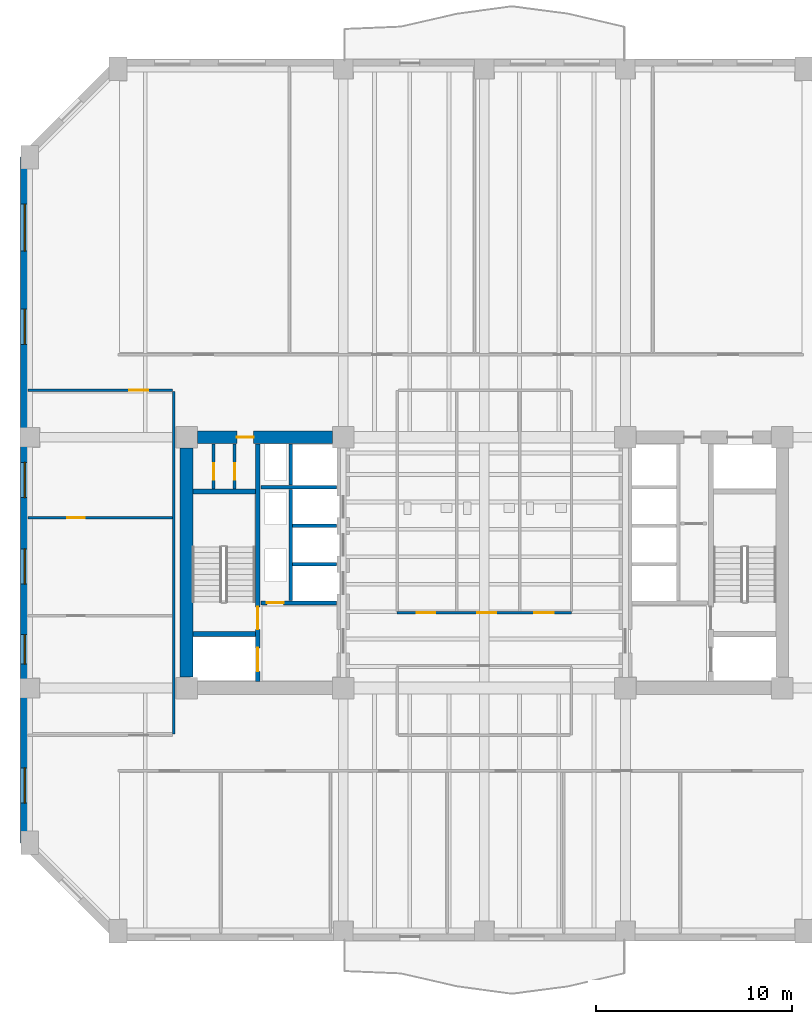
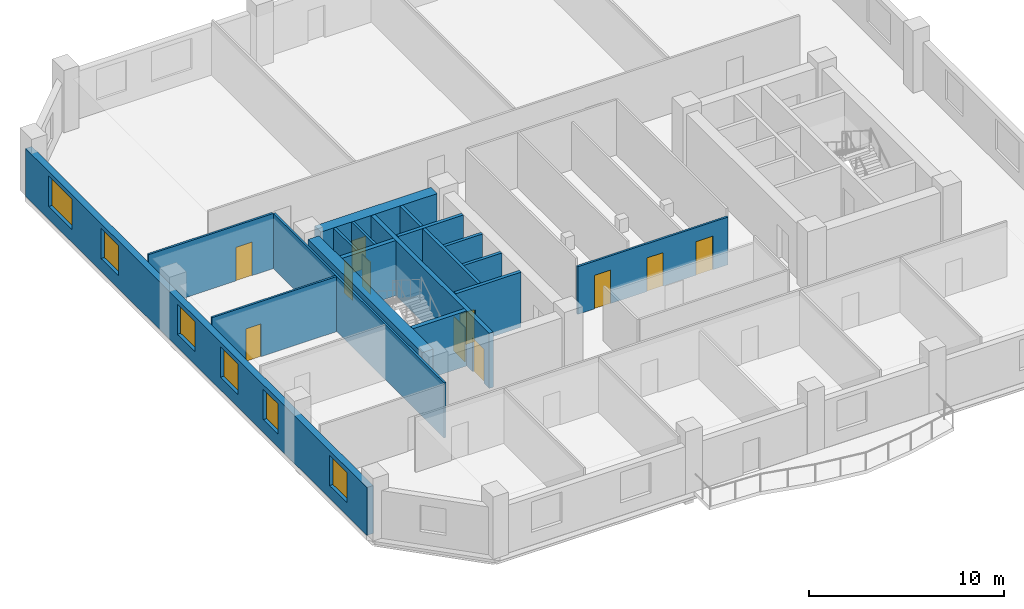
# One storey, part 3 of 10: 18 walls, 11 doors, 6 windows, 17 openings.
"""IFC4 building model written with IfcOpenShell, lengths in metres."""

from ifc_helpers import new_model, si_unit, direction, frame, frame_2d, origin, place, context, subcontext, project, spatial, rectangle, extrude, material, layer, layer_set, type_object, element, fill, save


model = new_model("IFC4")

# Units and contexts
model_context = context("Model", 3, precision=1e-05, world=origin(), true_north=direction((0.0, 1.0)))
body_context = subcontext(model_context, "Body", "Model", "MODEL_VIEW")
ifc_project = project(units=[si_unit("LENGTHUNIT", "METRE"), si_unit("AREAUNIT", "SQUARE_METRE"), si_unit("VOLUMEUNIT", "CUBIC_METRE"), si_unit("PLANEANGLEUNIT", "RADIAN"), si_unit("MASSUNIT", "GRAM", prefix="KILO")], contexts=[model_context])

# Site, building, storey
site_placement = place(None, origin())
site = spatial("IfcSite", under=ifc_project, at=site_placement, CompositionType="ELEMENT")
building_placement = place(site_placement, origin())
building = spatial("IfcBuilding", under=site, at=building_placement, Name="Kranthara Brick Stack", CompositionType="ELEMENT")
storey_placement = place(building_placement, frame((0.0, 0.0, 106.199951171875)))
storey = spatial("IfcBuildingStorey", under=building, at=storey_placement, Name="L26", CompositionType="ELEMENT", Elevation=106.199951171875)

# Wall, openings, windows
ifc_material_1 = material(Name="Kiln-fired clay brick masonry M15", Category="masonry")
ifc_layer_1 = layer(ifc_material_1, 0.3798828125)
ifc_layer_set_1 = layer_set([ifc_layer_1], Name="Kiln-fired clay brick masonry M15")
wall_type_1 = type_object("IfcWallType", Name="WL-BRK-PIER-380", PredefinedType="STANDARD", material=ifc_layer_set_1)
wall_1_placement = place(storey_placement, frame((4.510009765625, 12.89990234375, 0.0), z_axis=(0.0, 0.0, 1.0), x_axis=(0.0, 1.0, 0.0)))
wall_1 = element("IfcWall", 1, at=wall_1_placement, inside=storey, type_object=wall_type_1, Name="L26 Exterior Brick Facade Wall WEST 1", PredefinedType="STANDARD", context=body_context, shape_type="SweptSolid", body=[
    extrude(rectangle(XDim=35.0, YDim=0.3798828125, at=frame_2d((17.5, 0.0))), origin(), (0.0, 0.0, 1.0), 2.985107421875),
])
opening_1_placement = place(wall_1_placement, frame((2.02490234375, 0.0, 0.800048828125)))
opening_1 = element("IfcOpeningElement", 2, at=opening_1_placement, cuts=wall_1, Name="Opening WN01", PredefinedType="OPENING", context=body_context, shape_type="SweptSolid", body=[
    extrude(rectangle(XDim=1.800048828125, YDim=1.89990234375, at=frame_2d((0.89990234375, 0.949951171875))), frame((0.0, 0.199951171875, 0.0), z_axis=(0.0, -1.0, 0.0), x_axis=(1.0, 0.0, 0.0)), (0.0, 0.0, 1.0), 0.39990234375),
])
opening_2_placement = place(wall_1_placement, frame((9.125, 0.0, 0.800048828125)))
opening_2 = element("IfcOpeningElement", 3, at=opening_2_placement, cuts=wall_1, Name="Opening WN03", PredefinedType="OPENING", context=body_context, shape_type="SweptSolid", body=[
    extrude(rectangle(XDim=1.5, YDim=1.89990234375, at=frame_2d((0.75, 0.949951171875))), frame((0.0, 0.199951171875, 0.0), z_axis=(0.0, -1.0, 0.0), x_axis=(1.0, 0.0, 0.0)), (0.0, 0.0, 1.0), 0.39990234375),
])
opening_3_placement = place(wall_1_placement, frame((13.199951171875, 0.0, 0.800048828125)))
opening_3 = element("IfcOpeningElement", 4, at=opening_3_placement, cuts=wall_1, Name="Opening WN01", PredefinedType="OPENING", context=body_context, shape_type="SweptSolid", body=[
    extrude(rectangle(XDim=1.800048828125, YDim=1.89990234375, at=frame_2d((0.89990234375, 0.949951171875))), frame((0.0, 0.199951171875, 0.0), z_axis=(0.0, -1.0, 0.0), x_axis=(1.0, 0.0, 0.0)), (0.0, 0.0, 1.0), 0.39990234375),
])
opening_4_placement = place(wall_1_placement, frame((17.625, 0.0, 0.800048828125)))
opening_4 = element("IfcOpeningElement", 5, at=opening_4_placement, cuts=wall_1, Name="Opening WN01", PredefinedType="OPENING", context=body_context, shape_type="SweptSolid", body=[
    extrude(rectangle(XDim=1.800048828125, YDim=1.89990234375, at=frame_2d((0.89990234375, 0.949951171875))), frame((0.0, 0.199951171875, 0.0), z_axis=(0.0, -1.0, 0.0), x_axis=(1.0, 0.0, 0.0)), (0.0, 0.0, 1.0), 0.39990234375),
])
opening_5_placement = place(wall_1_placement, frame((25.443115234375, 0.0, 0.800048828125)))
opening_5 = element("IfcOpeningElement", 6, at=opening_5_placement, cuts=wall_1, Name="Opening WN01", PredefinedType="OPENING", context=body_context, shape_type="SweptSolid", body=[
    extrude(rectangle(XDim=1.800048828125, YDim=1.89990234375, at=frame_2d((0.89990234375, 0.949951171875))), frame((0.0, 0.199951171875, 0.0), z_axis=(0.0, -1.0, 0.0), x_axis=(1.0, 0.0, 0.0)), (0.0, 0.0, 1.0), 0.39990234375),
])
opening_6_placement = place(wall_1_placement, frame((30.20703125, 0.0, 0.800048828125)))
opening_6 = element("IfcOpeningElement", 7, at=opening_6_placement, cuts=wall_1, Name="Opening WN02", PredefinedType="OPENING", context=body_context, shape_type="SweptSolid", body=[
    extrude(rectangle(XDim=2.39990234375, YDim=1.89990234375, at=frame_2d((1.199951171875, 0.949951171875))), frame((0.0, 0.199951171875, 0.0), z_axis=(0.0, -1.0, 0.0), x_axis=(1.0, 0.0, 0.0)), (0.0, 0.0, 1.0), 0.39990234375),
])
ifc_material_2 = material(Name="Double-glazed low-E solar control glass", Category="glass")
window_type_1 = type_object("IfcWindowType", Name="WN-OFF-1500x2000", PartitioningType="SINGLE_PANEL", PredefinedType="WINDOW", material=ifc_material_2)
window_1_placement = place(opening_2_placement, origin())
window_1 = element("IfcWindow", 8, at=window_1_placement, inside=storey, type_object=window_type_1, Name="L26 West Deep-Set Brick Window 02", OverallHeight=1.89990234375, OverallWidth=1.5, PartitioningType="SINGLE_PANEL", PredefinedType="WINDOW", context=body_context, shape_type="SweptSolid", body=[
    extrude(rectangle(XDim=1.5, YDim=1.89990234375, at=frame_2d((0.75, 0.949951171875))), frame((0.0, -0.010009765625, 0.0), z_axis=(0.0, -1.0, 0.0), x_axis=(1.0, 0.0, 0.0)), (0.0, 0.0, 1.0), 0.06005859375),
])
fill(opening_2, window_1)
ifc_material_3 = material(Name="Double-glazed low-E solar control glass", Category="glass")
window_type_2 = type_object("IfcWindowType", Name="WN-OFF-1800x2000", PartitioningType="SINGLE_PANEL", PredefinedType="WINDOW", material=ifc_material_3)
window_2_placement = place(opening_1_placement, origin())
window_2 = element("IfcWindow", 9, at=window_2_placement, inside=storey, type_object=window_type_2, Name="L26 West Deep-Set Brick Window 01", OverallHeight=1.89990234375, OverallWidth=1.800048828125, PartitioningType="SINGLE_PANEL", PredefinedType="WINDOW", context=body_context, shape_type="SweptSolid", body=[
    extrude(rectangle(XDim=1.800048828125, YDim=1.89990234375, at=frame_2d((0.89990234375, 0.949951171875))), frame((0.0, -0.010009765625, 0.0), z_axis=(0.0, -1.0, 0.0), x_axis=(1.0, 0.0, 0.0)), (0.0, 0.0, 1.0), 0.06005859375),
])
fill(opening_1, window_2)
window_3_placement = place(opening_3_placement, origin())
window_3 = element("IfcWindow", 10, at=window_3_placement, inside=storey, type_object=window_type_2, Name="L26 West Deep-Set Brick Window 03", OverallHeight=1.89990234375, OverallWidth=1.800048828125, PartitioningType="SINGLE_PANEL", PredefinedType="WINDOW", context=body_context, shape_type="SweptSolid", body=[
    extrude(rectangle(XDim=1.800048828125, YDim=1.89990234375, at=frame_2d((0.89990234375, 0.949951171875))), frame((0.0, -0.010009765625, 0.0), z_axis=(0.0, -1.0, 0.0), x_axis=(1.0, 0.0, 0.0)), (0.0, 0.0, 1.0), 0.06005859375),
])
fill(opening_3, window_3)
window_4_placement = place(opening_4_placement, origin())
window_4 = element("IfcWindow", 11, at=window_4_placement, inside=storey, type_object=window_type_2, Name="L26 West Deep-Set Brick Window 04", OverallHeight=1.89990234375, OverallWidth=1.800048828125, PartitioningType="SINGLE_PANEL", PredefinedType="WINDOW", context=body_context, shape_type="SweptSolid", body=[
    extrude(rectangle(XDim=1.800048828125, YDim=1.89990234375, at=frame_2d((0.89990234375, 0.949951171875))), frame((0.0, -0.010009765625, 0.0), z_axis=(0.0, -1.0, 0.0), x_axis=(1.0, 0.0, 0.0)), (0.0, 0.0, 1.0), 0.06005859375),
])
fill(opening_4, window_4)
window_5_placement = place(opening_5_placement, origin())
window_5 = element("IfcWindow", 12, at=window_5_placement, inside=storey, type_object=window_type_2, Name="L26 West Deep-Set Brick Window 05", OverallHeight=1.89990234375, OverallWidth=1.800048828125, PartitioningType="SINGLE_PANEL", PredefinedType="WINDOW", context=body_context, shape_type="SweptSolid", body=[
    extrude(rectangle(XDim=1.800048828125, YDim=1.89990234375, at=frame_2d((0.89990234375, 0.949951171875))), frame((0.0, -0.010009765625, 0.0), z_axis=(0.0, -1.0, 0.0), x_axis=(1.0, 0.0, 0.0)), (0.0, 0.0, 1.0), 0.06005859375),
])
fill(opening_5, window_5)
ifc_material_4 = material(Name="Double-glazed low-E solar control glass", Category="glass")
window_type_3 = type_object("IfcWindowType", Name="WN-OFF-2400x2000", PartitioningType="DOUBLE_PANEL_VERTICAL", PredefinedType="WINDOW", material=ifc_material_4)
window_6_placement = place(opening_6_placement, origin())
window_6 = element("IfcWindow", 13, at=window_6_placement, inside=storey, type_object=window_type_3, Name="L26 West Deep-Set Brick Window 06", OverallHeight=1.89990234375, OverallWidth=2.39990234375, PartitioningType="SINGLE_PANEL", PredefinedType="WINDOW", context=body_context, shape_type="SweptSolid", body=[
    extrude(rectangle(XDim=2.39990234375, YDim=1.89990234375, at=frame_2d((1.199951171875, 0.949951171875))), frame((0.0, -0.010009765625, 0.0), z_axis=(0.0, -1.0, 0.0), x_axis=(1.0, 0.0, 0.0)), (0.0, 0.0, 1.0), 0.06005859375),
])
fill(opening_6, window_6)

# Wall, openings, doors
ifc_material_5 = material(Name="Concrete C50/60", Category="concrete")
ifc_layer_2 = layer(ifc_material_5, 0.25)
ifc_layer_set_2 = layer_set([ifc_layer_2], Name="Concrete C50/60")
wall_type_2 = type_object("IfcWallType", Name="WL-CORE-250", PredefinedType="SHEAR", material=ifc_layer_set_2)
wall_2_placement = place(storey_placement, frame((16.43505859375, 21.135009765625, 0.0), z_axis=(0.0, 0.0, 1.0), x_axis=(0.0, 1.0, 0.0)))
wall_2 = element("IfcWall", 14, at=wall_2_placement, inside=storey, type_object=wall_type_2, Name="L26 West Core Stair Bearing Spine Wall", PredefinedType="SHEAR", context=body_context, shape_type="SweptSolid", body=[
    extrude(rectangle(XDim=12.1298828125, YDim=0.25, at=frame_2d((6.06494140625, 0.0))), origin(), (0.0, 0.0, 1.0), 3.449951171875),
])
opening_7_placement = place(wall_2_placement, frame((0.514892578125, 0.0, 0.0)))
opening_7 = element("IfcOpeningElement", 15, at=opening_7_placement, cuts=wall_2, Name="Opening LD01", PredefinedType="OPENING", context=body_context, shape_type="SweptSolid", body=[
    extrude(rectangle(XDim=1.199951171875, YDim=2.14990234375, at=frame_2d((0.60009765625, 1.074951171875))), frame((0.0, 0.135009765625, 0.0), z_axis=(0.0, -1.0, 0.0), x_axis=(1.0, 0.0, 0.0)), (0.0, 0.0, 1.0), 0.27001953125),
])
opening_8_placement = place(wall_2_placement, frame((2.6650390625, 0.0, 0.0)))
opening_8 = element("IfcOpeningElement", 16, at=opening_8_placement, cuts=wall_2, Name="Opening D05", PredefinedType="OPENING", context=body_context, shape_type="SweptSolid", body=[
    extrude(rectangle(XDim=1.14990234375, YDim=2.14990234375, at=frame_2d((0.574951171875, 1.074951171875))), frame((0.0, 0.135009765625, 0.0), z_axis=(0.0, -1.0, 0.0), x_axis=(1.0, 0.0, 0.0)), (0.0, 0.0, 1.0), 0.27001953125),
])
ifc_material_6 = material(Name="Stainless steel sliding landing door", Category="steel")
door_type_1 = type_object("IfcDoorType", Name="DR-LD-FF1200", OperationType="DOUBLE_DOOR_SLIDING", PredefinedType="DOOR", material=ifc_material_6)
door_1_placement = place(opening_7_placement, origin())
door_1 = element("IfcDoor", 17, at=door_1_placement, inside=storey, type_object=door_type_1, Name="L26 Firefighting Lift FF-01 Landing Door", OperationType="DOUBLE_DOOR_SLIDING", OverallHeight=2.14990234375, OverallWidth=1.199951171875, PredefinedType="DOOR", context=body_context, shape_type="SweptSolid", body=[
    extrude(rectangle(XDim=1.199951171875, YDim=2.14990234375, at=frame_2d((0.60009765625, 1.074951171875))), frame((0.0, 0.02490234375, 0.0), z_axis=(0.0, -1.0, 0.0), x_axis=(1.0, 0.0, 0.0)), (0.0, 0.0, 1.0), 0.050048828125),
])
fill(opening_7, door_1)
ifc_material_7 = material(Name="Solid-core hardwood timber leaf in steel frame", Category="steel")
door_type_2 = type_object("IfcDoorType", Name="DR-ST-1150", OperationType="NOTDEFINED", PredefinedType="DOOR", material=ifc_material_7)
door_2_placement = place(opening_8_placement, origin())
door_2 = element("IfcDoor", 18, at=door_2_placement, inside=storey, type_object=door_type_2, Name="L26 Exit Stair ST01 Door", OperationType="SINGLE_SWING_RIGHT", OverallHeight=2.14990234375, OverallWidth=1.14990234375, PredefinedType="DOOR", context=body_context, shape_type="SweptSolid", body=[
    extrude(rectangle(XDim=1.14990234375, YDim=2.14990234375, at=frame_2d((0.574951171875, 1.074951171875))), frame((0.0, 0.02490234375, 0.0), z_axis=(0.0, -1.0, 0.0), x_axis=(1.0, 0.0, 0.0)), (0.0, 0.0, 1.0), 0.050048828125),
])
fill(opening_8, door_2)

# Walls
for number, where, z_axis, x_axis, name in (
    (19, (13.135009765625, 23.570068359375, 0.0), (0.0, 0.0, 1.0), (1.0, 0.0, 0.0), "L26 West Stairwell Bearing Wall WFF"),
    (20, (13.135009765625, 30.830078125, 0.0), (0.0, 0.0, 1.0), (1.0, 0.0, 0.0), "L26 West Stairwell Bearing Wall WST"),
):
    element("IfcWall", number, at=place(storey_placement, frame(where, z_axis=z_axis, x_axis=x_axis)), inside=storey, type_object=wall_type_2, Name=name, PredefinedType="SHEAR", context=body_context, shape_type="SweptSolid", body=[
        extrude(rectangle(XDim=3.175048828125, YDim=0.25, at=frame_2d((1.58740234375, 0.0))), origin(), (0.0, 0.0, 1.0), 3.449951171875),
    ])
ifc_material_8 = material(Name="Concrete C60/75", Category="concrete")
ifc_layer_3 = layer(ifc_material_8, 0.64990234375)
ifc_layer_set_3 = layer_set([ifc_layer_3], Name="Concrete C60/75")
wall_type_3 = type_object("IfcWallType", Name="WL-CORE-650", PredefinedType="SHEAR", material=ifc_layer_set_3)
wall_3_placement = place(storey_placement, frame((12.800048828125, 21.35498046875, 0.0), z_axis=(0.0, 0.0, 1.0), x_axis=(0.0, 1.0, 0.0)))
element("IfcWall", 21, at=wall_3_placement, inside=storey, type_object=wall_type_3, Name="L26 West Core Shear Wall West", PredefinedType="SHEAR", context=body_context, shape_type="SweptSolid", body=[
    extrude(rectangle(XDim=11.68994140625, YDim=0.64990234375, at=frame_2d((5.844970703125, 0.0))), origin(), (0.0, 0.0, 1.0), 3.449951171875),
])

# Wall, opening, door
wall_4_placement = place(storey_placement, frame((13.35498046875, 33.60009765625, 0.0), z_axis=(0.0, 0.0, 1.0), x_axis=(1.0, 0.0, 0.0)))
wall_4 = element("IfcWall", 22, at=wall_4_placement, inside=storey, type_object=wall_type_3, Name="L26 West Core Shear Wall North", PredefinedType="SHEAR", context=body_context, shape_type="SweptSolid", body=[
    extrude(rectangle(XDim=6.89013671875, YDim=0.64990234375, at=frame_2d((3.445068359375, 0.0))), origin(), (0.0, 0.0, 1.0), 3.449951171875),
])
opening_9_placement = place(wall_4_placement, frame((2.014892578125, 0.0, 0.0)))
opening_9 = element("IfcOpeningElement", 23, at=opening_9_placement, cuts=wall_4, Name="Opening D10", PredefinedType="OPENING", context=body_context, shape_type="SweptSolid", body=[
    extrude(rectangle(XDim=0.85009765625, YDim=2.02001953125, at=frame_2d((0.425048828125, 1.010009765625))), frame((0.0, 0.3349609375, 0.0), z_axis=(0.0, -1.0, 0.0), x_axis=(1.0, 0.0, 0.0)), (0.0, 0.0, 1.0), 0.669921875),
])
ifc_material_9 = material(Name="Solid-core hardwood timber leaf in steel frame", Category="steel")
door_type_3 = type_object("IfcDoorType", Name="DR-RSR-850", OperationType="NOTDEFINED", PredefinedType="DOOR", material=ifc_material_9)
door_3_placement = place(opening_9_placement, origin())
door_3 = element("IfcDoor", 24, at=door_3_placement, inside=storey, type_object=door_type_3, Name="L26 West Core Service Door 1", OperationType="SINGLE_SWING_RIGHT", OverallHeight=2.02001953125, OverallWidth=0.85009765625, PredefinedType="DOOR", context=body_context, shape_type="SweptSolid", body=[
    extrude(rectangle(XDim=0.85009765625, YDim=2.02001953125, at=frame_2d((0.425048828125, 1.010009765625))), frame((0.0, 0.02490234375, 0.0), z_axis=(0.0, -1.0, 0.0), x_axis=(1.0, 0.0, 0.0)), (0.0, 0.0, 1.0), 0.050048828125),
])
fill(opening_9, door_3)

# Wall, openings, doors
ifc_material_10 = material(Name="Acoustic gypsum plasterboard partition", Category="other")
ifc_layer_4 = layer(ifc_material_10, 0.1201171875)
ifc_layer_set_4 = layer_set([ifc_layer_4], Name="Acoustic gypsum plasterboard partition")
wall_type_4 = type_object("IfcWallType", Name="WL-PART-120", PredefinedType="PARTITIONING", material=ifc_layer_set_4)
wall_5_placement = place(storey_placement, frame((23.550048828125, 24.64990234375, 0.0), z_axis=(0.0, 0.0, 1.0), x_axis=(1.0, 0.0, 0.0)))
wall_5 = element("IfcWall", 25, at=wall_5_placement, inside=storey, type_object=wall_type_4, Name="L26 Interior Partition 004", PredefinedType="PARTITIONING", context=body_context, shape_type="SweptSolid", body=[
    extrude(rectangle(XDim=8.89990234375, YDim=0.1201171875, at=frame_2d((4.449951171875, 0.0))), origin(), (0.0, 0.0, 1.0), 2.985107421875),
])
opening_10_placement = place(wall_5_placement, frame((1.0, 0.0, 0.0)))
opening_10 = element("IfcOpeningElement", 26, at=opening_10_placement, cuts=wall_5, Name="Opening D14", PredefinedType="OPENING", context=body_context, shape_type="SweptSolid", body=[
    extrude(rectangle(XDim=0.949951171875, YDim=2.10009765625, at=frame_2d((0.47509765625, 1.050048828125))), frame((0.0, 0.070068359375, 0.0), z_axis=(0.0, -1.0, 0.0), x_axis=(1.0, 0.0, 0.0)), (0.0, 0.0, 1.0), 0.14013671875),
])
opening_11_placement = place(wall_5_placement, frame((4.10009765625, 0.0, 0.0)))
opening_11 = element("IfcOpeningElement", 27, at=opening_11_placement, cuts=wall_5, Name="Opening D14", PredefinedType="OPENING", context=body_context, shape_type="SweptSolid", body=[
    extrude(rectangle(XDim=0.949951171875, YDim=2.10009765625, at=frame_2d((0.47509765625, 1.050048828125))), frame((0.0, 0.070068359375, 0.0), z_axis=(0.0, -1.0, 0.0), x_axis=(1.0, 0.0, 0.0)), (0.0, 0.0, 1.0), 0.14013671875),
])
opening_12_placement = place(wall_5_placement, frame((7.0, 0.0, 0.0)))
opening_12 = element("IfcOpeningElement", 28, at=opening_12_placement, cuts=wall_5, Name="Opening D18", PredefinedType="OPENING", context=body_context, shape_type="SweptSolid", body=[
    extrude(rectangle(XDim=1.0, YDim=2.10009765625, at=frame_2d((0.5, 1.050048828125))), frame((0.0, 0.070068359375, 0.0), z_axis=(0.0, -1.0, 0.0), x_axis=(1.0, 0.0, 0.0)), (0.0, 0.0, 1.0), 0.14013671875),
])
ifc_material_11 = material(Name="Solid-core hardwood timber leaf in steel frame", Category="steel")
door_type_4 = type_object("IfcDoorType", Name="DR-ACC-1000", OperationType="NOTDEFINED", PredefinedType="DOOR", material=ifc_material_11)
door_4_placement = place(opening_12_placement, origin())
door_4 = element("IfcDoor", 29, at=door_4_placement, inside=storey, type_object=door_type_4, Name="L26 Accessible WC Door 06", OperationType="SINGLE_SWING_RIGHT", OverallHeight=2.10009765625, OverallWidth=1.0, PredefinedType="DOOR", context=body_context, shape_type="SweptSolid", body=[
    extrude(rectangle(XDim=1.0, YDim=2.10009765625, at=frame_2d((0.5, 1.050048828125))), frame((0.0, 0.02490234375, 0.0), z_axis=(0.0, -1.0, 0.0), x_axis=(1.0, 0.0, 0.0)), (0.0, 0.0, 1.0), 0.050048828125),
])
fill(opening_12, door_4)
ifc_material_12 = material(Name="Solid-core hardwood timber leaf in steel frame", Category="steel")
door_type_5 = type_object("IfcDoorType", Name="DR-INT-950", OperationType="NOTDEFINED", PredefinedType="DOOR", material=ifc_material_12)
door_5_placement = place(opening_10_placement, origin())
door_5 = element("IfcDoor", 30, at=door_5_placement, inside=storey, type_object=door_type_5, Name="L26 Male WC Door 04", OperationType="SINGLE_SWING_RIGHT", OverallHeight=2.10009765625, OverallWidth=0.949951171875, PredefinedType="DOOR", context=body_context, shape_type="SweptSolid", body=[
    extrude(rectangle(XDim=0.949951171875, YDim=2.10009765625, at=frame_2d((0.47509765625, 1.050048828125))), frame((0.0, 0.02490234375, 0.0), z_axis=(0.0, -1.0, 0.0), x_axis=(1.0, 0.0, 0.0)), (0.0, 0.0, 1.0), 0.050048828125),
])
fill(opening_10, door_5)
door_6_placement = place(opening_11_placement, origin())
door_6 = element("IfcDoor", 31, at=door_6_placement, inside=storey, type_object=door_type_5, Name="L26 Female WC Door 05", OperationType="SINGLE_SWING_LEFT", OverallHeight=2.10009765625, OverallWidth=0.949951171875, PredefinedType="DOOR", context=body_context, shape_type="SweptSolid", body=[
    extrude(rectangle(XDim=0.949951171875, YDim=2.10009765625, at=frame_2d((0.47509765625, 1.050048828125))), frame((0.0, 0.02490234375, 0.0), z_axis=(0.0, -1.0, 0.0), x_axis=(1.0, 0.0, 0.0)), (0.0, 0.0, 1.0), 0.050048828125),
])
fill(opening_11, door_6)

# Wall
wall_6_placement = place(storey_placement, frame((12.14990234375, 18.449951171875, 0.0), z_axis=(0.0, 0.0, 1.0), x_axis=(0.0, 1.0, 0.0)))
element("IfcWall", 32, at=wall_6_placement, inside=storey, type_object=wall_type_4, Name="L26 Interior Partition 024", PredefinedType="PARTITIONING", context=body_context, shape_type="SweptSolid", body=[
    extrude(rectangle(XDim=17.5, YDim=0.1201171875, at=frame_2d((8.75, 0.0))), origin(), (0.0, 0.0, 1.0), 3.449951171875),
])

# Wall, opening, door
wall_7_placement = place(storey_placement, frame((4.705078125, 36.0, 0.0), z_axis=(0.0, 0.0, 1.0), x_axis=(1.0, 0.0, 0.0)))
wall_7 = element("IfcWall", 33, at=wall_7_placement, inside=storey, type_object=wall_type_4, Name="L26 Interior Partition 026", PredefinedType="PARTITIONING", context=body_context, shape_type="SweptSolid", body=[
    extrude(rectangle(XDim=7.3798828125, YDim=0.1201171875, at=frame_2d((3.68994140625, 0.0))), origin(), (0.0, 0.0, 1.0), 3.449951171875),
])
opening_13_placement = place(wall_7_placement, frame((5.179931640625, 0.0, 0.0)))
opening_13 = element("IfcOpeningElement", 34, at=opening_13_placement, cuts=wall_7, Name="Opening D14", PredefinedType="OPENING", context=body_context, shape_type="SweptSolid", body=[
    extrude(rectangle(XDim=0.949951171875, YDim=2.10009765625, at=frame_2d((0.47509765625, 1.050048828125))), frame((0.0, 0.070068359375, 0.0), z_axis=(0.0, -1.0, 0.0), x_axis=(1.0, 0.0, 0.0)), (0.0, 0.0, 1.0), 0.14013671875),
])
door_7_placement = place(opening_13_placement, origin())
door_7 = element("IfcDoor", 35, at=door_7_placement, inside=storey, type_object=door_type_5, Name="L26 West North Office 21", OperationType="SINGLE_SWING_LEFT", OverallHeight=2.10009765625, OverallWidth=0.949951171875, PredefinedType="DOOR", context=body_context, shape_type="SweptSolid", body=[
    extrude(rectangle(XDim=0.949951171875, YDim=2.10009765625, at=frame_2d((0.47509765625, 1.050048828125))), frame((0.0, 0.02490234375, 0.0), z_axis=(0.0, -1.0, 0.0), x_axis=(1.0, 0.0, 0.0)), (0.0, 0.0, 1.0), 0.050048828125),
])
fill(opening_13, door_7)

wall_8_placement = place(storey_placement, frame((4.705078125, 29.5, 0.0), z_axis=(0.0, 0.0, 1.0), x_axis=(1.0, 0.0, 0.0)))
wall_8 = element("IfcWall", 36, at=wall_8_placement, inside=storey, type_object=wall_type_4, Name="L26 Interior Partition 028", PredefinedType="PARTITIONING", context=body_context, shape_type="SweptSolid", body=[
    extrude(rectangle(XDim=7.3798828125, YDim=0.1201171875, at=frame_2d((3.68994140625, 0.0))), origin(), (0.0, 0.0, 1.0), 3.449951171875),
])
opening_14_placement = place(wall_8_placement, frame((2.0, 0.0, 0.0)))
opening_14 = element("IfcOpeningElement", 37, at=opening_14_placement, cuts=wall_8, Name="Opening D15", PredefinedType="OPENING", context=body_context, shape_type="SweptSolid", body=[
    extrude(rectangle(XDim=0.89990234375, YDim=2.050048828125, at=frame_2d((0.449951171875, 1.02490234375))), frame((0.0, 0.070068359375, 0.0), z_axis=(0.0, -1.0, 0.0), x_axis=(1.0, 0.0, 0.0)), (0.0, 0.0, 1.0), 0.14013671875),
])
ifc_material_13 = material(Name="Solid-core hardwood timber leaf in steel frame", Category="steel")
door_type_6 = type_object("IfcDoorType", Name="DR-INT-900", OperationType="NOTDEFINED", PredefinedType="DOOR", material=ifc_material_13)
door_8_placement = place(opening_14_placement, origin())
door_8 = element("IfcDoor", 38, at=door_8_placement, inside=storey, type_object=door_type_6, Name="L26 West Inner Suite Door 19", OperationType="SINGLE_SWING_LEFT", OverallHeight=2.050048828125, OverallWidth=0.89990234375, PredefinedType="DOOR", context=body_context, shape_type="SweptSolid", body=[
    extrude(rectangle(XDim=0.89990234375, YDim=2.050048828125, at=frame_2d((0.449951171875, 1.02490234375))), frame((0.0, 0.02490234375, 0.0), z_axis=(0.0, -1.0, 0.0), x_axis=(1.0, 0.0, 0.0)), (0.0, 0.0, 1.0), 0.050048828125),
])
fill(opening_14, door_8)

ifc_material_14 = material(Name="Fire-rated gypsum board partition", Category="other")
ifc_layer_5 = layer(ifc_material_14, 0.14990234375)
ifc_layer_set_5 = layer_set([ifc_layer_5], Name="Fire-rated gypsum board partition")
wall_type_5 = type_object("IfcWallType", Name="WL-PART-150", PredefinedType="PARTITIONING", material=ifc_layer_set_5)
wall_9_placement = place(storey_placement, frame((14.179931640625, 30.9599609375, 0.0), z_axis=(0.0, 0.0, 1.0), x_axis=(0.0, 1.0, 0.0)))
wall_9 = element("IfcWall", 39, at=wall_9_placement, inside=storey, type_object=wall_type_5, Name="L26 Interior Partition 001", PredefinedType="PARTITIONING", context=body_context, shape_type="SweptSolid", body=[
    extrude(rectangle(XDim=2.31005859375, YDim=0.14990234375, at=frame_2d((1.155029296875, 0.0))), origin(), (0.0, 0.0, 1.0), 3.449951171875),
])
opening_15_placement = place(wall_9_placement, frame((0.469970703125, 0.0, 0.0)))
opening_15 = element("IfcOpeningElement", 40, at=opening_15_placement, cuts=wall_9, Name="Opening D10", PredefinedType="OPENING", context=body_context, shape_type="SweptSolid", body=[
    extrude(rectangle(XDim=0.85009765625, YDim=2.02001953125, at=frame_2d((0.425048828125, 1.010009765625))), frame((0.0, 0.0849609375, 0.0), z_axis=(0.0, -1.0, 0.0), x_axis=(1.0, 0.0, 0.0)), (0.0, 0.0, 1.0), 0.169921875),
])
door_9_placement = place(opening_15_placement, origin())
door_9 = element("IfcDoor", 41, at=door_9_placement, inside=storey, type_object=door_type_3, Name="L26 Riser Door A 01", OperationType="SINGLE_SWING_LEFT", OverallHeight=2.02001953125, OverallWidth=0.85009765625, PredefinedType="DOOR", context=body_context, shape_type="SweptSolid", body=[
    extrude(rectangle(XDim=0.85009765625, YDim=2.02001953125, at=frame_2d((0.425048828125, 1.010009765625))), frame((0.0, 0.02490234375, 0.0), z_axis=(0.0, -1.0, 0.0), x_axis=(1.0, 0.0, 0.0)), (0.0, 0.0, 1.0), 0.050048828125),
])
fill(opening_15, door_9)

wall_10_placement = place(storey_placement, frame((15.25, 30.9599609375, 0.0), z_axis=(0.0, 0.0, 1.0), x_axis=(0.0, 1.0, 0.0)))
wall_10 = element("IfcWall", 42, at=wall_10_placement, inside=storey, type_object=wall_type_5, Name="L26 Interior Partition 002", PredefinedType="PARTITIONING", context=body_context, shape_type="SweptSolid", body=[
    extrude(rectangle(XDim=2.31005859375, YDim=0.14990234375, at=frame_2d((1.155029296875, 0.0))), origin(), (0.0, 0.0, 1.0), 3.449951171875),
])
opening_16_placement = place(wall_10_placement, frame((0.469970703125, 0.0, 0.0)))
opening_16 = element("IfcOpeningElement", 43, at=opening_16_placement, cuts=wall_10, Name="Opening D10", PredefinedType="OPENING", context=body_context, shape_type="SweptSolid", body=[
    extrude(rectangle(XDim=0.85009765625, YDim=2.02001953125, at=frame_2d((0.425048828125, 1.010009765625))), frame((0.0, 0.0849609375, 0.0), z_axis=(0.0, -1.0, 0.0), x_axis=(1.0, 0.0, 0.0)), (0.0, 0.0, 1.0), 0.169921875),
])
door_10_placement = place(opening_16_placement, origin())
door_10 = element("IfcDoor", 44, at=door_10_placement, inside=storey, type_object=door_type_3, Name="L26 Riser Door B 02", OperationType="SINGLE_SWING_RIGHT", OverallHeight=2.02001953125, OverallWidth=0.85009765625, PredefinedType="DOOR", context=body_context, shape_type="SweptSolid", body=[
    extrude(rectangle(XDim=0.85009765625, YDim=2.02001953125, at=frame_2d((0.425048828125, 1.010009765625))), frame((0.0, 0.02490234375, 0.0), z_axis=(0.0, -1.0, 0.0), x_axis=(1.0, 0.0, 0.0)), (0.0, 0.0, 1.0), 0.050048828125),
])
fill(opening_16, door_10)

# Walls
ifc_material_15 = material(Name="Gypsum plasterboard on acoustic twin stud", Category="other")
ifc_layer_6 = layer(ifc_material_15, 0.179931640625)
ifc_layer_set_6 = layer_set([ifc_layer_6], Name="Gypsum plasterboard on acoustic twin stud")
wall_type_6 = type_object("IfcWallType", Name="WL-PART-180", PredefinedType="PARTITIONING", material=ifc_layer_set_6)
wall_11_placement = place(storey_placement, frame((18.1201171875, 25.27001953125, 0.0), z_axis=(0.0, 0.0, 1.0), x_axis=(0.0, 1.0, 0.0)))
element("IfcWall", 45, at=wall_11_placement, inside=storey, type_object=wall_type_6, Name="L26 West Hoistway Wall WBK", PredefinedType="PARTITIONING", context=body_context, shape_type="SweptSolid", body=[
    extrude(rectangle(XDim=5.659912109375, YDim=0.179931640625, at=frame_2d((2.830078125, 0.0))), origin(), (0.0, 0.0, 1.0), 3.449951171875),
])
wall_12_placement = place(storey_placement, frame((18.1201171875, 31.169921875, 0.0), z_axis=(0.0, 0.0, 1.0), x_axis=(0.0, 1.0, 0.0)))
element("IfcWall", 46, at=wall_12_placement, inside=storey, type_object=wall_type_6, Name="L26 West Hoistway Wall WBK7", PredefinedType="PARTITIONING", context=body_context, shape_type="SweptSolid", body=[
    extrude(rectangle(XDim=2.094970703125, YDim=0.179931640625, at=frame_2d((1.04736328125, 0.0))), origin(), (0.0, 0.0, 1.0), 3.449951171875),
])
for number, where, z_axis, x_axis, name in (
    (47, (18.219970703125, 27.1201171875, 0.0), (0.0, 0.0, 1.0), (1.0, 0.0, 0.0), "L26 West Hoistway Wall WH1"),
    (48, (18.219970703125, 29.080078125, 0.0), (0.0, 0.0, 1.0), (1.0, 0.0, 0.0), "L26 West Hoistway Wall WH2"),
):
    element("IfcWall", number, at=place(storey_placement, frame(where, z_axis=z_axis, x_axis=x_axis)), inside=storey, type_object=wall_type_6, Name=name, PredefinedType="PARTITIONING", context=body_context, shape_type="SweptSolid", body=[
        extrude(rectangle(XDim=2.2451171875, YDim=0.179931640625, at=frame_2d((1.12255859375, 0.0))), origin(), (0.0, 0.0, 1.0), 3.449951171875),
    ])

# Wall, opening, door
ifc_material_16 = material(Name="Concrete C40/50", Category="concrete")
ifc_layer_7 = layer(ifc_material_16, 0.199951171875)
ifc_layer_set_7 = layer_set([ifc_layer_7], Name="Concrete C40/50")
wall_type_7 = type_object("IfcWallType", Name="WL-PART-200", PredefinedType="SOLIDWALL", material=ifc_layer_set_7)
wall_13_placement = place(storey_placement, frame((16.60009765625, 25.14990234375, 0.0), z_axis=(0.0, 0.0, 1.0), x_axis=(1.0, 0.0, 0.0)))
wall_13 = element("IfcWall", 49, at=wall_13_placement, inside=storey, type_object=wall_type_7, Name="L26 West Core Cross Wall WFL", PredefinedType="SOLIDWALL", context=body_context, shape_type="SweptSolid", body=[
    extrude(rectangle(XDim=3.864990234375, YDim=0.199951171875, at=frame_2d((1.9326171875, 0.0))), origin(), (0.0, 0.0, 1.0), 3.449951171875),
])
opening_17_placement = place(wall_13_placement, frame((0.300048828125, 0.0, 0.0)))
opening_17 = element("IfcOpeningElement", 50, at=opening_17_placement, cuts=wall_13, Name="Opening D10", PredefinedType="OPENING", context=body_context, shape_type="SweptSolid", body=[
    extrude(rectangle(XDim=0.85009765625, YDim=2.02001953125, at=frame_2d((0.425048828125, 1.010009765625))), frame((0.0, 0.10986328125, 0.0), z_axis=(0.0, -1.0, 0.0), x_axis=(1.0, 0.0, 0.0)), (0.0, 0.0, 1.0), 0.219970703125),
])
door_11_placement = place(opening_17_placement, origin())
door_11 = element("IfcDoor", 51, at=door_11_placement, inside=storey, type_object=door_type_3, Name="L26 Mechanical Riser Access Door", OperationType="SINGLE_SWING_LEFT", OverallHeight=2.02001953125, OverallWidth=0.85009765625, PredefinedType="DOOR", context=body_context, shape_type="SweptSolid", body=[
    extrude(rectangle(XDim=0.85009765625, YDim=2.02001953125, at=frame_2d((0.425048828125, 1.010009765625))), frame((0.0, 0.02490234375, 0.0), z_axis=(0.0, -1.0, 0.0), x_axis=(1.0, 0.0, 0.0)), (0.0, 0.0, 1.0), 0.050048828125),
])
fill(opening_17, door_11)

# Wall
wall_14_placement = place(storey_placement, frame((16.60009765625, 31.050048828125, 0.0), z_axis=(0.0, 0.0, 1.0), x_axis=(1.0, 0.0, 0.0)))
element("IfcWall", 52, at=wall_14_placement, inside=storey, type_object=wall_type_7, Name="L26 West Core Cross Wall WH4", PredefinedType="SOLIDWALL", context=body_context, shape_type="SweptSolid", body=[
    extrude(rectangle(XDim=3.849853515625, YDim=0.199951171875, at=frame_2d((1.9248046875, 0.0))), origin(), (0.0, 0.0, 1.0), 3.449951171875),
])

save(model, "model.ifc")
